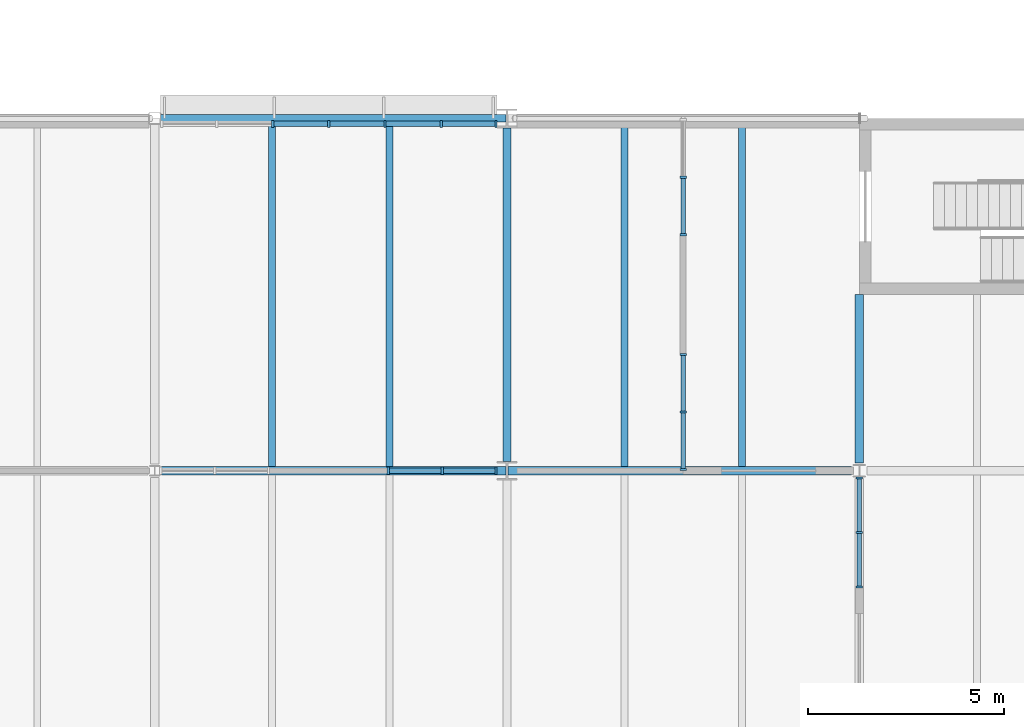
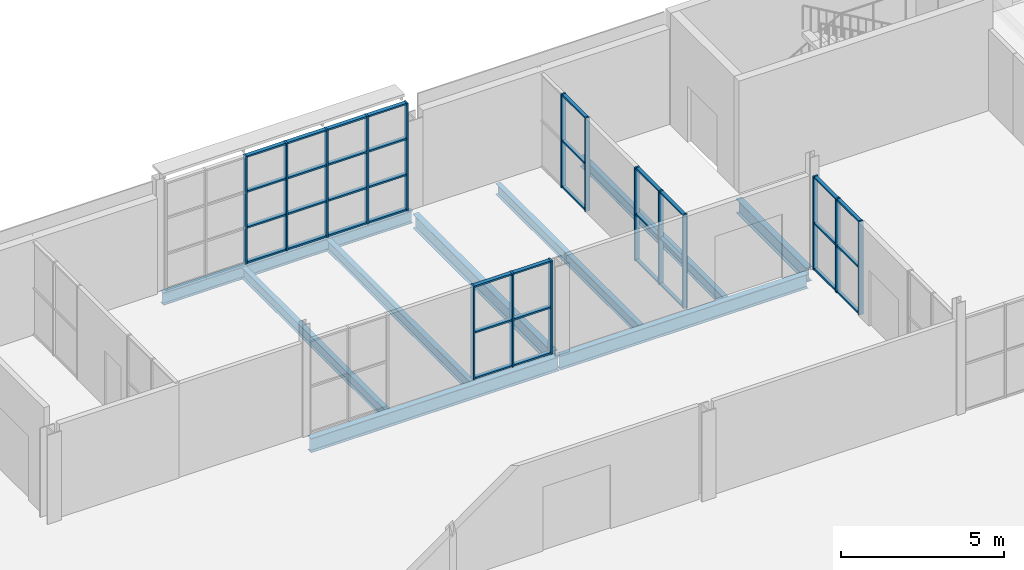
# One storey, part 15 of 61: 53 members, 9 beams, 5 elements without a shape of their own.
"""IFC4 building model written with IfcOpenShell, lengths in metres."""

from ifc_helpers import new_model, si_unit, direction, frame, origin, origin_2d, place, context, subcontext, project, spatial, rectangle, i_section, extrude, material, layer, layer_set, material_profile, profile_set, type_object, element, aggregate, save


model = new_model("IFC4")

# Units and contexts
model_context = context("Model", 3, precision=1e-05, world=origin(), true_north=direction((0.0, 1.0)))
body_context = subcontext(model_context, "Body", "Model", "MODEL_VIEW")
ifc_project = project(units=[si_unit("LENGTHUNIT", "METRE"), si_unit("AREAUNIT", "SQUARE_METRE"), si_unit("VOLUMEUNIT", "CUBIC_METRE"), si_unit("PLANEANGLEUNIT", "RADIAN"), si_unit("MASSUNIT", "GRAM", prefix="KILO")], contexts=[model_context])

# Site, building, storey
site_placement = place(None, origin())
site = spatial("IfcSite", under=ifc_project, at=site_placement, CompositionType="ELEMENT")
building_placement = place(site_placement, origin())
building = spatial("IfcBuilding", under=site, at=building_placement, Name="Halyard Row Museum", CompositionType="ELEMENT")
storey_placement = place(building_placement, frame((0.0, 0.0, 9.199951171875)))
storey = spatial("IfcBuildingStorey", under=building, at=storey_placement, Name="L02", CompositionType="ELEMENT", Elevation=9.199951171875)

# Curtain wall, members
ifc_material_1 = material(Name="Double glazed unit, low-emissivity", Category="glass")
ifc_layer_1 = layer(ifc_material_1, 0.179931640625)
ifc_layer_set_1 = layer_set([ifc_layer_1], Name="Double glazed unit, low-emissivity")
curtain_wall_type_1 = type_object("IfcCurtainWallType", Name="Curtain wall stick 180 deep", PredefinedType="NOTDEFINED", material=ifc_layer_set_1)
curtain_wall_1_placement = place(storey_placement, origin())
curtain_wall_1 = element("IfcCurtainWall", 1, at=curtain_wall_1_placement, inside=storey, type_object=curtain_wall_type_1, Name="Curtain wall CW035", PredefinedType="NOTDEFINED")
ifc_material_2 = material(Name="Powder-coated aluminium section", Category="aluminium")
ifc_material_profile_1 = material_profile(ifc_material_2, rectangle(XDim=0.179931640625, YDim=0.06005859375, at=origin_2d()), Name="180x60 mullion")
ifc_profile_set_1 = profile_set([ifc_material_profile_1], Name="Powder-coated aluminium section")
member_type_1 = type_object("IfcMemberType", Name="Curtain wall mullion CM2 60 x 180", PredefinedType="MULLION", material=ifc_profile_set_1)
member_1_placement = place(storey_placement, frame((53.719970703125, 44.860107421875, 0.0), z_axis=(0.0, 0.0, 1.0), x_axis=(0.0, -1.0, 0.0)))
member_1 = element("IfcMember", 2, at=member_1_placement, type_object=member_type_1, Name="CW035 mullion 1", PredefinedType="MULLION", context=body_context, shape_type="SweptSolid", body=[
    extrude(rectangle(XDim=0.179931640625, YDim=0.06005859375, at=origin_2d()), origin(), (0.0, 0.0, 1.0), 4.03515625),
])
member_2_placement = place(storey_placement, frame((52.316650390625, 44.860107421875, 0.0), z_axis=(0.0, 0.0, 1.0), x_axis=(0.0, -1.0, 0.0)))
member_2 = element("IfcMember", 3, at=member_2_placement, type_object=member_type_1, Name="CW035 mullion 2", PredefinedType="MULLION", context=body_context, shape_type="SweptSolid", body=[
    extrude(rectangle(XDim=0.179931640625, YDim=0.06005859375, at=origin_2d()), origin(), (0.0, 0.0, 1.0), 4.03515625),
])
member_3_placement = place(storey_placement, frame((50.88330078125, 44.860107421875, 0.0), z_axis=(0.0, 0.0, 1.0), x_axis=(0.0, -1.0, 0.0)))
member_3 = element("IfcMember", 4, at=member_3_placement, type_object=member_type_1, Name="CW035 mullion 3", PredefinedType="MULLION", context=body_context, shape_type="SweptSolid", body=[
    extrude(rectangle(XDim=0.179931640625, YDim=0.06005859375, at=origin_2d()), origin(), (0.0, 0.0, 1.0), 4.03515625),
])
member_4_placement = place(storey_placement, frame((49.449951171875, 44.860107421875, 0.0), z_axis=(0.0, 0.0, 1.0), x_axis=(0.0, -1.0, 0.0)))
member_4 = element("IfcMember", 5, at=member_4_placement, type_object=member_type_1, Name="CW035 mullion 4", PredefinedType="MULLION", context=body_context, shape_type="SweptSolid", body=[
    extrude(rectangle(XDim=0.179931640625, YDim=0.06005859375, at=origin_2d()), origin(), (0.0, 0.0, 1.0), 4.03515625),
])
member_5_placement = place(storey_placement, frame((48.0166015625, 44.860107421875, 0.0), z_axis=(0.0, 0.0, 1.0), x_axis=(0.0, -1.0, 0.0)))
member_5 = element("IfcMember", 6, at=member_5_placement, type_object=member_type_1, Name="CW035 mullion 5", PredefinedType="MULLION", context=body_context, shape_type="SweptSolid", body=[
    extrude(rectangle(XDim=0.179931640625, YDim=0.06005859375, at=origin_2d()), origin(), (0.0, 0.0, 1.0), 4.03515625),
])

curtain_wall_2_placement = place(storey_placement, origin())
curtain_wall_2 = element("IfcCurtainWall", 7, at=curtain_wall_2_placement, inside=storey, type_object=curtain_wall_type_1, Name="Curtain wall CW165", PredefinedType="NOTDEFINED")
member_6_placement = place(storey_placement, frame((50.968505859375, 36.0, 0.0), z_axis=(0.0, 0.0, 1.0), x_axis=(0.0, 1.0, 0.0)))
member_6 = element("IfcMember", 8, at=member_6_placement, type_object=member_type_1, Name="CW165 mullion 1", PredefinedType="MULLION", context=body_context, shape_type="SweptSolid", body=[
    extrude(rectangle(XDim=0.179931640625, YDim=0.06005859375, at=origin_2d()), origin(), (0.0, 0.0, 1.0), 3.501953125),
])
member_7_placement = place(storey_placement, frame((52.34423828125, 36.0, 0.0), z_axis=(0.0, 0.0, 1.0), x_axis=(0.0, 1.0, 0.0)))
member_7 = element("IfcMember", 9, at=member_7_placement, type_object=member_type_1, Name="CW165 mullion 2", PredefinedType="MULLION", context=body_context, shape_type="SweptSolid", body=[
    extrude(rectangle(XDim=0.179931640625, YDim=0.06005859375, at=origin_2d()), origin(), (0.0, 0.0, 1.0), 3.501953125),
])
member_8_placement = place(storey_placement, frame((53.719970703125, 36.0, 0.0), z_axis=(0.0, 0.0, 1.0), x_axis=(0.0, 1.0, 0.0)))
member_8 = element("IfcMember", 10, at=member_8_placement, type_object=member_type_1, Name="CW165 mullion 3", PredefinedType="MULLION", context=body_context, shape_type="SweptSolid", body=[
    extrude(rectangle(XDim=0.179931640625, YDim=0.06005859375, at=origin_2d()), origin(), (0.0, 0.0, 1.0), 3.501953125),
])

ifc_material_3 = material(Name="Fire-resisting laminated glazing", Category="glass")
ifc_layer_2 = layer(ifc_material_3, 0.159912109375)
ifc_layer_set_2 = layer_set([ifc_layer_2], Name="Fire-resisting laminated glazing")
curtain_wall_type_2 = type_object("IfcCurtainWallType", Name="Curtain wall atrium screen 160 deep", PredefinedType="NOTDEFINED", material=ifc_layer_set_2)
curtain_wall_3_placement = place(storey_placement, origin())
curtain_wall_3 = element("IfcCurtainWall", 11, at=curtain_wall_3_placement, inside=storey, type_object=curtain_wall_type_2, Name="Curtain wall CW167", PredefinedType="NOTDEFINED")
ifc_material_4 = material(Name="Powder-coated aluminium section", Category="aluminium")
ifc_material_profile_2 = material_profile(ifc_material_4, rectangle(XDim=0.159912109375, YDim=0.06005859375, at=origin_2d()), Name="160x60 mullion")
ifc_profile_set_2 = profile_set([ifc_material_profile_2], Name="Powder-coated aluminium section")
member_type_2 = type_object("IfcMemberType", Name="Curtain wall mullion CM5 60 x 160", PredefinedType="MULLION", material=ifc_profile_set_2)
member_9_placement = place(storey_placement, frame((63.0, 33.030029296875, 0.0), z_axis=(0.0, 0.0, 1.0), x_axis=(-1.0, 0.0, 0.0)))
member_9 = element("IfcMember", 12, at=member_9_placement, type_object=member_type_2, Name="CW167 mullion 1", PredefinedType="MULLION", context=body_context, shape_type="SweptSolid", body=[
    extrude(rectangle(XDim=0.159912109375, YDim=0.06005859375, at=origin_2d()), origin(), (0.0, 0.0, 1.0), 3.501953125),
])
member_10_placement = place(storey_placement, frame((63.0, 34.423095703125, 0.0), z_axis=(0.0, 0.0, 1.0), x_axis=(-1.0, 0.0, 0.0)))
member_10 = element("IfcMember", 13, at=member_10_placement, type_object=member_type_2, Name="CW167 mullion 2", PredefinedType="MULLION", context=body_context, shape_type="SweptSolid", body=[
    extrude(rectangle(XDim=0.159912109375, YDim=0.06005859375, at=origin_2d()), origin(), (0.0, 0.0, 1.0), 3.501953125),
])
member_11_placement = place(storey_placement, frame((63.0, 35.81591796875, 0.0), z_axis=(0.0, 0.0, 1.0), x_axis=(-1.0, 0.0, 0.0)))
member_11 = element("IfcMember", 14, at=member_11_placement, type_object=member_type_2, Name="CW167 mullion 3", PredefinedType="MULLION", context=body_context, shape_type="SweptSolid", body=[
    extrude(rectangle(XDim=0.159912109375, YDim=0.06005859375, at=origin_2d()), origin(), (0.0, 0.0, 1.0), 3.501953125),
])

curtain_wall_4_placement = place(storey_placement, origin())
curtain_wall_4 = element("IfcCurtainWall", 15, at=curtain_wall_4_placement, inside=storey, type_object=curtain_wall_type_2, Name="Curtain wall CW170", PredefinedType="NOTDEFINED")
member_12_placement = place(storey_placement, frame((58.5, 36.030029296875, 0.0), z_axis=(0.0, 0.0, 1.0), x_axis=(-1.0, 0.0, 0.0)))
member_12 = element("IfcMember", 16, at=member_12_placement, type_object=member_type_2, Name="CW170 mullion 1", PredefinedType="MULLION", context=body_context, shape_type="SweptSolid", body=[
    extrude(rectangle(XDim=0.159912109375, YDim=0.06005859375, at=origin_2d()), origin(), (0.0, 0.0, 1.0), 3.501953125),
])
member_13_placement = place(storey_placement, frame((58.5, 37.5, 0.0), z_axis=(0.0, 0.0, 1.0), x_axis=(-1.0, 0.0, 0.0)))
member_13 = element("IfcMember", 17, at=member_13_placement, type_object=member_type_2, Name="CW170 mullion 2", PredefinedType="MULLION", context=body_context, shape_type="SweptSolid", body=[
    extrude(rectangle(XDim=0.159912109375, YDim=0.06005859375, at=origin_2d()), origin(), (0.0, 0.0, 1.0), 3.501953125),
])
member_14_placement = place(storey_placement, frame((58.5, 38.969970703125, 0.0), z_axis=(0.0, 0.0, 1.0), x_axis=(-1.0, 0.0, 0.0)))
member_14 = element("IfcMember", 18, at=member_14_placement, type_object=member_type_2, Name="CW170 mullion 3", PredefinedType="MULLION", context=body_context, shape_type="SweptSolid", body=[
    extrude(rectangle(XDim=0.159912109375, YDim=0.06005859375, at=origin_2d()), origin(), (0.0, 0.0, 1.0), 3.501953125),
])

curtain_wall_5_placement = place(storey_placement, origin())
curtain_wall_5 = element("IfcCurtainWall", 19, at=curtain_wall_5_placement, inside=storey, type_object=curtain_wall_type_2, Name="Curtain wall CW171", PredefinedType="NOTDEFINED")
member_15_placement = place(storey_placement, frame((58.5, 42.030029296875, 0.0), z_axis=(0.0, 0.0, 1.0), x_axis=(-1.0, 0.0, 0.0)))
member_15 = element("IfcMember", 20, at=member_15_placement, type_object=member_type_2, Name="CW171 mullion 1", PredefinedType="MULLION", context=body_context, shape_type="SweptSolid", body=[
    extrude(rectangle(XDim=0.159912109375, YDim=0.06005859375, at=origin_2d()), origin(), (0.0, 0.0, 1.0), 3.501953125),
])
member_16_placement = place(storey_placement, frame((58.5, 43.5, 0.0), z_axis=(0.0, 0.0, 1.0), x_axis=(-1.0, 0.0, 0.0)))
member_16 = element("IfcMember", 21, at=member_16_placement, type_object=member_type_2, Name="CW171 mullion 2", PredefinedType="MULLION", context=body_context, shape_type="SweptSolid", body=[
    extrude(rectangle(XDim=0.159912109375, YDim=0.06005859375, at=origin_2d()), origin(), (0.0, 0.0, 1.0), 3.501953125),
])

# Member
ifc_material_5 = material(Name="Powder-coated aluminium section", Category="aluminium")
ifc_material_profile_3 = material_profile(ifc_material_5, rectangle(XDim=0.139892578125, YDim=0.06005859375, at=origin_2d()), Name="140x60 transom")
ifc_profile_set_3 = profile_set([ifc_material_profile_3], Name="Powder-coated aluminium section")
member_type_3 = type_object("IfcMemberType", Name="Curtain wall transom CT2 60 x 140", PredefinedType="USERDEFINED", material=ifc_profile_set_3)
member_17_placement = place(storey_placement, frame((53.68994140625, 44.860107421875, 0.030029296875), z_axis=(-1.0, 0.0, 0.0), x_axis=(0.0, -1.0, 0.0)))
member_17 = element("IfcMember", 22, at=member_17_placement, type_object=member_type_3, Name="CW035 transom 1.1", ObjectType="TRANSOM", PredefinedType="USERDEFINED", context=body_context, shape_type="SweptSolid", body=[
    extrude(rectangle(XDim=0.139892578125, YDim=0.06005859375, at=origin_2d()), origin(), (0.0, 0.0, 1.0), 1.34326171875),
])

member_18_placement = place(storey_placement, frame((53.68994140625, 44.860107421875, 1.344970703125), z_axis=(-1.0, 0.0, 0.0), x_axis=(0.0, -1.0, 0.0)))
member_18 = element("IfcMember", 23, at=member_18_placement, type_object=member_type_3, Name="CW035 transom 1.2", ObjectType="TRANSOM", PredefinedType="USERDEFINED", context=body_context, shape_type="SweptSolid", body=[
    extrude(rectangle(XDim=0.139892578125, YDim=0.06005859375, at=origin_2d()), origin(), (0.0, 0.0, 1.0), 1.34326171875),
])

member_19_placement = place(storey_placement, frame((53.68994140625, 44.860107421875, 2.68994140625), z_axis=(-1.0, 0.0, 0.0), x_axis=(0.0, -1.0, 0.0)))
member_19 = element("IfcMember", 24, at=member_19_placement, type_object=member_type_3, Name="CW035 transom 1.3", ObjectType="TRANSOM", PredefinedType="USERDEFINED", context=body_context, shape_type="SweptSolid", body=[
    extrude(rectangle(XDim=0.139892578125, YDim=0.06005859375, at=origin_2d()), origin(), (0.0, 0.0, 1.0), 1.34326171875),
])

member_20_placement = place(storey_placement, frame((53.68994140625, 44.860107421875, 4.005126953125), z_axis=(-1.0, 0.0, 0.0), x_axis=(0.0, -1.0, 0.0)))
member_20 = element("IfcMember", 25, at=member_20_placement, type_object=member_type_3, Name="CW035 transom 1.4", ObjectType="TRANSOM", PredefinedType="USERDEFINED", context=body_context, shape_type="SweptSolid", body=[
    extrude(rectangle(XDim=0.139892578125, YDim=0.06005859375, at=origin_2d()), origin(), (0.0, 0.0, 1.0), 1.34326171875),
])

member_21_placement = place(storey_placement, frame((52.28662109375, 44.860107421875, 0.030029296875), z_axis=(-1.0, 0.0, 0.0), x_axis=(0.0, -1.0, 0.0)))
member_21 = element("IfcMember", 26, at=member_21_placement, type_object=member_type_3, Name="CW035 transom 2.1", ObjectType="TRANSOM", PredefinedType="USERDEFINED", context=body_context, shape_type="SweptSolid", body=[
    extrude(rectangle(XDim=0.139892578125, YDim=0.06005859375, at=origin_2d()), origin(), (0.0, 0.0, 1.0), 1.373291015625),
])

member_22_placement = place(storey_placement, frame((52.28662109375, 44.860107421875, 1.344970703125), z_axis=(-1.0, 0.0, 0.0), x_axis=(0.0, -1.0, 0.0)))
member_22 = element("IfcMember", 27, at=member_22_placement, type_object=member_type_3, Name="CW035 transom 2.2", ObjectType="TRANSOM", PredefinedType="USERDEFINED", context=body_context, shape_type="SweptSolid", body=[
    extrude(rectangle(XDim=0.139892578125, YDim=0.06005859375, at=origin_2d()), origin(), (0.0, 0.0, 1.0), 1.373291015625),
])

member_23_placement = place(storey_placement, frame((52.28662109375, 44.860107421875, 2.68994140625), z_axis=(-1.0, 0.0, 0.0), x_axis=(0.0, -1.0, 0.0)))
member_23 = element("IfcMember", 28, at=member_23_placement, type_object=member_type_3, Name="CW035 transom 2.3", ObjectType="TRANSOM", PredefinedType="USERDEFINED", context=body_context, shape_type="SweptSolid", body=[
    extrude(rectangle(XDim=0.139892578125, YDim=0.06005859375, at=origin_2d()), origin(), (0.0, 0.0, 1.0), 1.373291015625),
])

member_24_placement = place(storey_placement, frame((52.28662109375, 44.860107421875, 4.005126953125), z_axis=(-1.0, 0.0, 0.0), x_axis=(0.0, -1.0, 0.0)))
member_24 = element("IfcMember", 29, at=member_24_placement, type_object=member_type_3, Name="CW035 transom 2.4", ObjectType="TRANSOM", PredefinedType="USERDEFINED", context=body_context, shape_type="SweptSolid", body=[
    extrude(rectangle(XDim=0.139892578125, YDim=0.06005859375, at=origin_2d()), origin(), (0.0, 0.0, 1.0), 1.373291015625),
])

member_25_placement = place(storey_placement, frame((50.853271484375, 44.860107421875, 0.030029296875), z_axis=(-1.0, 0.0, 0.0), x_axis=(0.0, -1.0, 0.0)))
member_25 = element("IfcMember", 30, at=member_25_placement, type_object=member_type_3, Name="CW035 transom 3.1", ObjectType="TRANSOM", PredefinedType="USERDEFINED", context=body_context, shape_type="SweptSolid", body=[
    extrude(rectangle(XDim=0.139892578125, YDim=0.06005859375, at=origin_2d()), origin(), (0.0, 0.0, 1.0), 1.373291015625),
])

member_26_placement = place(storey_placement, frame((50.853271484375, 44.860107421875, 1.344970703125), z_axis=(-1.0, 0.0, 0.0), x_axis=(0.0, -1.0, 0.0)))
member_26 = element("IfcMember", 31, at=member_26_placement, type_object=member_type_3, Name="CW035 transom 3.2", ObjectType="TRANSOM", PredefinedType="USERDEFINED", context=body_context, shape_type="SweptSolid", body=[
    extrude(rectangle(XDim=0.139892578125, YDim=0.06005859375, at=origin_2d()), origin(), (0.0, 0.0, 1.0), 1.373291015625),
])

member_27_placement = place(storey_placement, frame((50.853271484375, 44.860107421875, 2.68994140625), z_axis=(-1.0, 0.0, 0.0), x_axis=(0.0, -1.0, 0.0)))
member_27 = element("IfcMember", 32, at=member_27_placement, type_object=member_type_3, Name="CW035 transom 3.3", ObjectType="TRANSOM", PredefinedType="USERDEFINED", context=body_context, shape_type="SweptSolid", body=[
    extrude(rectangle(XDim=0.139892578125, YDim=0.06005859375, at=origin_2d()), origin(), (0.0, 0.0, 1.0), 1.373291015625),
])

member_28_placement = place(storey_placement, frame((50.853271484375, 44.860107421875, 4.005126953125), z_axis=(-1.0, 0.0, 0.0), x_axis=(0.0, -1.0, 0.0)))
member_28 = element("IfcMember", 33, at=member_28_placement, type_object=member_type_3, Name="CW035 transom 3.4", ObjectType="TRANSOM", PredefinedType="USERDEFINED", context=body_context, shape_type="SweptSolid", body=[
    extrude(rectangle(XDim=0.139892578125, YDim=0.06005859375, at=origin_2d()), origin(), (0.0, 0.0, 1.0), 1.373291015625),
])

member_29_placement = place(storey_placement, frame((49.419921875, 44.860107421875, 0.030029296875), z_axis=(-1.0, 0.0, 0.0), x_axis=(0.0, -1.0, 0.0)))
member_29 = element("IfcMember", 34, at=member_29_placement, type_object=member_type_3, Name="CW035 transom 4.1", ObjectType="TRANSOM", PredefinedType="USERDEFINED", context=body_context, shape_type="SweptSolid", body=[
    extrude(rectangle(XDim=0.139892578125, YDim=0.06005859375, at=origin_2d()), origin(), (0.0, 0.0, 1.0), 1.373291015625),
])

member_30_placement = place(storey_placement, frame((49.419921875, 44.860107421875, 1.344970703125), z_axis=(-1.0, 0.0, 0.0), x_axis=(0.0, -1.0, 0.0)))
member_30 = element("IfcMember", 35, at=member_30_placement, type_object=member_type_3, Name="CW035 transom 4.2", ObjectType="TRANSOM", PredefinedType="USERDEFINED", context=body_context, shape_type="SweptSolid", body=[
    extrude(rectangle(XDim=0.139892578125, YDim=0.06005859375, at=origin_2d()), origin(), (0.0, 0.0, 1.0), 1.373291015625),
])

member_31_placement = place(storey_placement, frame((49.419921875, 44.860107421875, 2.68994140625), z_axis=(-1.0, 0.0, 0.0), x_axis=(0.0, -1.0, 0.0)))
member_31 = element("IfcMember", 36, at=member_31_placement, type_object=member_type_3, Name="CW035 transom 4.3", ObjectType="TRANSOM", PredefinedType="USERDEFINED", context=body_context, shape_type="SweptSolid", body=[
    extrude(rectangle(XDim=0.139892578125, YDim=0.06005859375, at=origin_2d()), origin(), (0.0, 0.0, 1.0), 1.373291015625),
])

member_32_placement = place(storey_placement, frame((49.419921875, 44.860107421875, 4.005126953125), z_axis=(-1.0, 0.0, 0.0), x_axis=(0.0, -1.0, 0.0)))
member_32 = element("IfcMember", 37, at=member_32_placement, type_object=member_type_3, Name="CW035 transom 4.4", ObjectType="TRANSOM", PredefinedType="USERDEFINED", context=body_context, shape_type="SweptSolid", body=[
    extrude(rectangle(XDim=0.139892578125, YDim=0.06005859375, at=origin_2d()), origin(), (0.0, 0.0, 1.0), 1.373291015625),
])

aggregate(curtain_wall_1, [member_1, member_2, member_3, member_4, member_5, member_17, member_18, member_19, member_20, member_21, member_22, member_23, member_24, member_25, member_26, member_27, member_28, member_29, member_30, member_31, member_32])

member_33_placement = place(storey_placement, frame((50.99853515625, 36.0, 0.030029296875), z_axis=(1.0, 0.0, 0.0), x_axis=(0.0, 1.0, 0.0)))
member_33 = element("IfcMember", 38, at=member_33_placement, type_object=member_type_3, Name="CW165 transom 1.1", ObjectType="TRANSOM", PredefinedType="USERDEFINED", context=body_context, shape_type="SweptSolid", body=[
    extrude(rectangle(XDim=0.139892578125, YDim=0.06005859375, at=origin_2d()), origin(), (0.0, 0.0, 1.0), 1.315673828125),
])

member_34_placement = place(storey_placement, frame((50.99853515625, 36.0, 1.7509765625), z_axis=(1.0, 0.0, 0.0), x_axis=(0.0, 1.0, 0.0)))
member_34 = element("IfcMember", 39, at=member_34_placement, type_object=member_type_3, Name="CW165 transom 1.2", ObjectType="TRANSOM", PredefinedType="USERDEFINED", context=body_context, shape_type="SweptSolid", body=[
    extrude(rectangle(XDim=0.139892578125, YDim=0.06005859375, at=origin_2d()), origin(), (0.0, 0.0, 1.0), 1.315673828125),
])

member_35_placement = place(storey_placement, frame((50.99853515625, 36.0, 3.47216796875), z_axis=(1.0, 0.0, 0.0), x_axis=(0.0, 1.0, 0.0)))
member_35 = element("IfcMember", 40, at=member_35_placement, type_object=member_type_3, Name="CW165 transom 1.3", ObjectType="TRANSOM", PredefinedType="USERDEFINED", context=body_context, shape_type="SweptSolid", body=[
    extrude(rectangle(XDim=0.139892578125, YDim=0.06005859375, at=origin_2d()), origin(), (0.0, 0.0, 1.0), 1.315673828125),
])

member_36_placement = place(storey_placement, frame((52.374267578125, 36.0, 0.030029296875), z_axis=(1.0, 0.0, 0.0), x_axis=(0.0, 1.0, 0.0)))
member_36 = element("IfcMember", 41, at=member_36_placement, type_object=member_type_3, Name="CW165 transom 2.1", ObjectType="TRANSOM", PredefinedType="USERDEFINED", context=body_context, shape_type="SweptSolid", body=[
    extrude(rectangle(XDim=0.139892578125, YDim=0.06005859375, at=origin_2d()), origin(), (0.0, 0.0, 1.0), 1.315673828125),
])

member_37_placement = place(storey_placement, frame((52.374267578125, 36.0, 1.7509765625), z_axis=(1.0, 0.0, 0.0), x_axis=(0.0, 1.0, 0.0)))
member_37 = element("IfcMember", 42, at=member_37_placement, type_object=member_type_3, Name="CW165 transom 2.2", ObjectType="TRANSOM", PredefinedType="USERDEFINED", context=body_context, shape_type="SweptSolid", body=[
    extrude(rectangle(XDim=0.139892578125, YDim=0.06005859375, at=origin_2d()), origin(), (0.0, 0.0, 1.0), 1.315673828125),
])

member_38_placement = place(storey_placement, frame((52.374267578125, 36.0, 3.47216796875), z_axis=(1.0, 0.0, 0.0), x_axis=(0.0, 1.0, 0.0)))
member_38 = element("IfcMember", 43, at=member_38_placement, type_object=member_type_3, Name="CW165 transom 2.3", ObjectType="TRANSOM", PredefinedType="USERDEFINED", context=body_context, shape_type="SweptSolid", body=[
    extrude(rectangle(XDim=0.139892578125, YDim=0.06005859375, at=origin_2d()), origin(), (0.0, 0.0, 1.0), 1.315673828125),
])

aggregate(curtain_wall_2, [member_6, member_7, member_8, member_33, member_34, member_35, member_36, member_37, member_38])

ifc_material_6 = material(Name="Powder-coated aluminium section", Category="aluminium")
ifc_material_profile_4 = material_profile(ifc_material_6, rectangle(XDim=0.1201171875, YDim=0.06005859375, at=origin_2d()), Name="120x60 transom")
ifc_profile_set_4 = profile_set([ifc_material_profile_4], Name="Powder-coated aluminium section")
member_type_4 = type_object("IfcMemberType", Name="Curtain wall transom CT5 60 x 120", PredefinedType="USERDEFINED", material=ifc_profile_set_4)
member_39_placement = place(storey_placement, frame((63.0, 33.06005859375, 0.030029296875), z_axis=(0.0, 1.0, 0.0), x_axis=(-1.0, 0.0, 0.0)))
member_39 = element("IfcMember", 44, at=member_39_placement, type_object=member_type_4, Name="CW167 transom 1.1", ObjectType="TRANSOM", PredefinedType="USERDEFINED", context=body_context, shape_type="SweptSolid", body=[
    extrude(rectangle(XDim=0.1201171875, YDim=0.06005859375, at=origin_2d()), origin(), (0.0, 0.0, 1.0), 1.3330078125),
])

member_40_placement = place(storey_placement, frame((63.0, 33.06005859375, 1.7509765625), z_axis=(0.0, 1.0, 0.0), x_axis=(-1.0, 0.0, 0.0)))
member_40 = element("IfcMember", 45, at=member_40_placement, type_object=member_type_4, Name="CW167 transom 1.2", ObjectType="TRANSOM", PredefinedType="USERDEFINED", context=body_context, shape_type="SweptSolid", body=[
    extrude(rectangle(XDim=0.1201171875, YDim=0.06005859375, at=origin_2d()), origin(), (0.0, 0.0, 1.0), 1.3330078125),
])

member_41_placement = place(storey_placement, frame((63.0, 33.06005859375, 3.47216796875), z_axis=(0.0, 1.0, 0.0), x_axis=(-1.0, 0.0, 0.0)))
member_41 = element("IfcMember", 46, at=member_41_placement, type_object=member_type_4, Name="CW167 transom 1.3", ObjectType="TRANSOM", PredefinedType="USERDEFINED", context=body_context, shape_type="SweptSolid", body=[
    extrude(rectangle(XDim=0.1201171875, YDim=0.06005859375, at=origin_2d()), origin(), (0.0, 0.0, 1.0), 1.3330078125),
])

member_42_placement = place(storey_placement, frame((63.0, 34.452880859375, 0.030029296875), z_axis=(0.0, 1.0, 0.0), x_axis=(-1.0, 0.0, 0.0)))
member_42 = element("IfcMember", 47, at=member_42_placement, type_object=member_type_4, Name="CW167 transom 2.1", ObjectType="TRANSOM", PredefinedType="USERDEFINED", context=body_context, shape_type="SweptSolid", body=[
    extrude(rectangle(XDim=0.1201171875, YDim=0.06005859375, at=origin_2d()), origin(), (0.0, 0.0, 1.0), 1.3330078125),
])

member_43_placement = place(storey_placement, frame((63.0, 34.452880859375, 1.7509765625), z_axis=(0.0, 1.0, 0.0), x_axis=(-1.0, 0.0, 0.0)))
member_43 = element("IfcMember", 48, at=member_43_placement, type_object=member_type_4, Name="CW167 transom 2.2", ObjectType="TRANSOM", PredefinedType="USERDEFINED", context=body_context, shape_type="SweptSolid", body=[
    extrude(rectangle(XDim=0.1201171875, YDim=0.06005859375, at=origin_2d()), origin(), (0.0, 0.0, 1.0), 1.3330078125),
])

member_44_placement = place(storey_placement, frame((63.0, 34.452880859375, 3.47216796875), z_axis=(0.0, 1.0, 0.0), x_axis=(-1.0, 0.0, 0.0)))
member_44 = element("IfcMember", 49, at=member_44_placement, type_object=member_type_4, Name="CW167 transom 2.3", ObjectType="TRANSOM", PredefinedType="USERDEFINED", context=body_context, shape_type="SweptSolid", body=[
    extrude(rectangle(XDim=0.1201171875, YDim=0.06005859375, at=origin_2d()), origin(), (0.0, 0.0, 1.0), 1.3330078125),
])

aggregate(curtain_wall_3, [member_9, member_10, member_11, member_39, member_40, member_41, member_42, member_43, member_44])

member_45_placement = place(storey_placement, frame((58.5, 36.06005859375, 0.030029296875), z_axis=(0.0, 1.0, 0.0), x_axis=(-1.0, 0.0, 0.0)))
member_45 = element("IfcMember", 50, at=member_45_placement, type_object=member_type_4, Name="CW170 transom 1.1", ObjectType="TRANSOM", PredefinedType="USERDEFINED", context=body_context, shape_type="SweptSolid", body=[
    extrude(rectangle(XDim=0.1201171875, YDim=0.06005859375, at=origin_2d()), origin(), (0.0, 0.0, 1.0), 1.409912109375),
])

member_46_placement = place(storey_placement, frame((58.5, 36.06005859375, 1.7509765625), z_axis=(0.0, 1.0, 0.0), x_axis=(-1.0, 0.0, 0.0)))
member_46 = element("IfcMember", 51, at=member_46_placement, type_object=member_type_4, Name="CW170 transom 1.2", ObjectType="TRANSOM", PredefinedType="USERDEFINED", context=body_context, shape_type="SweptSolid", body=[
    extrude(rectangle(XDim=0.1201171875, YDim=0.06005859375, at=origin_2d()), origin(), (0.0, 0.0, 1.0), 1.409912109375),
])

member_47_placement = place(storey_placement, frame((58.5, 36.06005859375, 3.47216796875), z_axis=(0.0, 1.0, 0.0), x_axis=(-1.0, 0.0, 0.0)))
member_47 = element("IfcMember", 52, at=member_47_placement, type_object=member_type_4, Name="CW170 transom 1.3", ObjectType="TRANSOM", PredefinedType="USERDEFINED", context=body_context, shape_type="SweptSolid", body=[
    extrude(rectangle(XDim=0.1201171875, YDim=0.06005859375, at=origin_2d()), origin(), (0.0, 0.0, 1.0), 1.409912109375),
])

member_48_placement = place(storey_placement, frame((58.5, 37.530029296875, 0.030029296875), z_axis=(0.0, 1.0, 0.0), x_axis=(-1.0, 0.0, 0.0)))
member_48 = element("IfcMember", 53, at=member_48_placement, type_object=member_type_4, Name="CW170 transom 2.1", ObjectType="TRANSOM", PredefinedType="USERDEFINED", context=body_context, shape_type="SweptSolid", body=[
    extrude(rectangle(XDim=0.1201171875, YDim=0.06005859375, at=origin_2d()), origin(), (0.0, 0.0, 1.0), 1.409912109375),
])

member_49_placement = place(storey_placement, frame((58.5, 37.530029296875, 1.7509765625), z_axis=(0.0, 1.0, 0.0), x_axis=(-1.0, 0.0, 0.0)))
member_49 = element("IfcMember", 54, at=member_49_placement, type_object=member_type_4, Name="CW170 transom 2.2", ObjectType="TRANSOM", PredefinedType="USERDEFINED", context=body_context, shape_type="SweptSolid", body=[
    extrude(rectangle(XDim=0.1201171875, YDim=0.06005859375, at=origin_2d()), origin(), (0.0, 0.0, 1.0), 1.409912109375),
])

member_50_placement = place(storey_placement, frame((58.5, 37.530029296875, 3.47216796875), z_axis=(0.0, 1.0, 0.0), x_axis=(-1.0, 0.0, 0.0)))
member_50 = element("IfcMember", 55, at=member_50_placement, type_object=member_type_4, Name="CW170 transom 2.3", ObjectType="TRANSOM", PredefinedType="USERDEFINED", context=body_context, shape_type="SweptSolid", body=[
    extrude(rectangle(XDim=0.1201171875, YDim=0.06005859375, at=origin_2d()), origin(), (0.0, 0.0, 1.0), 1.409912109375),
])

aggregate(curtain_wall_4, [member_12, member_13, member_14, member_45, member_46, member_47, member_48, member_49, member_50])

member_51_placement = place(storey_placement, frame((58.5, 42.06005859375, 0.030029296875), z_axis=(0.0, 1.0, 0.0), x_axis=(-1.0, 0.0, 0.0)))
member_51 = element("IfcMember", 56, at=member_51_placement, type_object=member_type_4, Name="CW171 transom 1.1", ObjectType="TRANSOM", PredefinedType="USERDEFINED", context=body_context, shape_type="SweptSolid", body=[
    extrude(rectangle(XDim=0.1201171875, YDim=0.06005859375, at=origin_2d()), origin(), (0.0, 0.0, 1.0), 1.409912109375),
])

member_52_placement = place(storey_placement, frame((58.5, 42.06005859375, 1.7509765625), z_axis=(0.0, 1.0, 0.0), x_axis=(-1.0, 0.0, 0.0)))
member_52 = element("IfcMember", 57, at=member_52_placement, type_object=member_type_4, Name="CW171 transom 1.2", ObjectType="TRANSOM", PredefinedType="USERDEFINED", context=body_context, shape_type="SweptSolid", body=[
    extrude(rectangle(XDim=0.1201171875, YDim=0.06005859375, at=origin_2d()), origin(), (0.0, 0.0, 1.0), 1.409912109375),
])

member_53_placement = place(storey_placement, frame((58.5, 42.06005859375, 3.47216796875), z_axis=(0.0, 1.0, 0.0), x_axis=(-1.0, 0.0, 0.0)))
member_53 = element("IfcMember", 58, at=member_53_placement, type_object=member_type_4, Name="CW171 transom 1.3", ObjectType="TRANSOM", PredefinedType="USERDEFINED", context=body_context, shape_type="SweptSolid", body=[
    extrude(rectangle(XDim=0.1201171875, YDim=0.06005859375, at=origin_2d()), origin(), (0.0, 0.0, 1.0), 1.409912109375),
])

aggregate(curtain_wall_5, [member_15, member_16, member_51, member_52, member_53])

# Beams
ifc_material_7 = material(Name="Steel Grade 300", Category="steel")
ifc_material_profile_5 = material_profile(ifc_material_7, i_section(OverallWidth=0.18994140625, OverallDepth=0.45751953125, WebThickness=0.009033203125, FlangeThickness=0.014404296875, FilletRadius=0.011474609375, at=origin_2d()), Name="460UB74.6")
ifc_profile_set_5 = profile_set([ifc_material_profile_5], Name="Steel Grade 300")
beam_type_1 = type_object("IfcBeamType", Name="Edge beam 460UB74.6", PredefinedType="BEAM", material=ifc_profile_set_5)
beam_1_placement = place(storey_placement, frame((45.14990234375, 45.0, -0.3935546875), z_axis=(1.0, 0.0, 0.0), x_axis=(0.0, 1.0, 0.0)))
element("IfcBeam", 59, at=beam_1_placement, inside=storey, type_object=beam_type_1, Name="Beam L02-036", PredefinedType="BEAM", context=body_context, shape_type="SweptSolid", body=[
    extrude(i_section(OverallWidth=0.18994140625, OverallDepth=0.45751953125, WebThickness=0.009033203125, FlangeThickness=0.014404296875, FilletRadius=0.011474609375, at=origin_2d()), origin(), (0.0, 0.0, 1.0), 8.830078125),
])
ifc_material_8 = material(Name="Steel Grade 300", Category="steel")
ifc_material_profile_6 = material_profile(ifc_material_8, i_section(OverallWidth=0.208984375, OverallDepth=0.532958984375, WebThickness=0.01025390625, FlangeThickness=0.015625, FilletRadius=0.013916015625, at=origin_2d()), Name="530UB92.4")
ifc_profile_set_6 = profile_set([ifc_material_profile_6], Name="Steel Grade 300")
beam_type_2 = type_object("IfcBeamType", Name="Girder beam 530UB92.4", PredefinedType="BEAM", material=ifc_profile_set_6)
beam_2_placement = place(storey_placement, frame((45.175048828125, 36.0, -0.431396484375), z_axis=(1.0, 0.0, 0.0), x_axis=(0.0, 1.0, 0.0)))
element("IfcBeam", 60, at=beam_2_placement, inside=storey, type_object=beam_type_2, Name="Beam L02-028", PredefinedType="BEAM", context=body_context, shape_type="SweptSolid", body=[
    extrude(i_section(OverallWidth=0.208984375, OverallDepth=0.532958984375, WebThickness=0.01025390625, FlangeThickness=0.015625, FilletRadius=0.013916015625, at=origin_2d()), origin(), (0.0, 0.0, 1.0), 8.804931640625),
])
beam_3_placement = place(storey_placement, frame((54.02001953125, 36.0, -0.431396484375), z_axis=(1.0, 0.0, 0.0), x_axis=(0.0, 1.0, 0.0)))
element("IfcBeam", 61, at=beam_3_placement, inside=storey, type_object=beam_type_2, Name="Beam L02-029", PredefinedType="BEAM", context=body_context, shape_type="SweptSolid", body=[
    extrude(i_section(OverallWidth=0.208984375, OverallDepth=0.532958984375, WebThickness=0.01025390625, FlangeThickness=0.015625, FilletRadius=0.013916015625, at=origin_2d()), origin(), (0.0, 0.0, 1.0), 8.780029296875),
])
beam_4_placement = place(storey_placement, frame((54.0, 36.239990234375, -0.431396484375), z_axis=(0.0, 1.0, 0.0), x_axis=(-1.0, 0.0, 0.0)))
element("IfcBeam", 62, at=beam_4_placement, inside=storey, type_object=beam_type_2, Name="Beam L02-060", PredefinedType="BEAM", context=body_context, shape_type="SweptSolid", body=[
    extrude(i_section(OverallWidth=0.208984375, OverallDepth=0.532958984375, WebThickness=0.01025390625, FlangeThickness=0.015625, FilletRadius=0.013916015625, at=origin_2d()), origin(), (0.0, 0.0, 1.0), 8.52001953125),
])
beam_5_placement = place(storey_placement, frame((63.0, 36.199951171875, -0.431396484375), z_axis=(0.0, 1.0, 0.0), x_axis=(-1.0, 0.0, 0.0)))
element("IfcBeam", 63, at=beam_5_placement, inside=storey, type_object=beam_type_2, Name="Beam L02-063", PredefinedType="BEAM", context=body_context, shape_type="SweptSolid", body=[
    extrude(i_section(OverallWidth=0.208984375, OverallDepth=0.532958984375, WebThickness=0.01025390625, FlangeThickness=0.015625, FilletRadius=0.013916015625, at=origin_2d()), origin(), (0.0, 0.0, 1.0), 4.300048828125),
])
ifc_material_9 = material(Name="Steel Grade 300", Category="steel")
ifc_material_profile_7 = material_profile(ifc_material_9, i_section(OverallWidth=0.177978515625, OverallDepth=0.406494140625, WebThickness=0.0078125, FlangeThickness=0.0126953125, FilletRadius=0.011474609375, at=origin_2d()), Name="410UB59.7")
ifc_profile_set_7 = profile_set([ifc_material_profile_7], Name="Steel Grade 300")
beam_type_3 = type_object("IfcBeamType", Name="Secondary beam 410UB59.7", PredefinedType="BEAM", material=ifc_profile_set_7)
for number, where, z_axis, x_axis, name in (
    (64, (48.0, 36.1044921875, -0.3681640625), (0.0, 1.0, 0.0), (-1.0, 0.0, 0.0), "Beam L02-139"),
    (65, (51.0, 36.1044921875, -0.3681640625), (0.0, 1.0, 0.0), (-1.0, 0.0, 0.0), "Beam L02-140"),
    (66, (57.0, 36.1044921875, -0.3681640625), (0.0, 1.0, 0.0), (-1.0, 0.0, 0.0), "Beam L02-141"),
    (67, (60.0, 36.1044921875, -0.3681640625), (0.0, 1.0, 0.0), (-1.0, 0.0, 0.0), "Beam L02-142"),
):
    element("IfcBeam", number, at=place(storey_placement, frame(where, z_axis=z_axis, x_axis=x_axis)), inside=storey, type_object=beam_type_3, Name=name, PredefinedType="BEAM", context=body_context, shape_type="SweptSolid", body=[
        extrude(i_section(OverallWidth=0.177978515625, OverallDepth=0.406494140625, WebThickness=0.0078125, FlangeThickness=0.0126953125, FilletRadius=0.011474609375, at=origin_2d()), origin(), (0.0, 0.0, 1.0), 8.800537109375),
    ])

save(model, "model.ifc")
